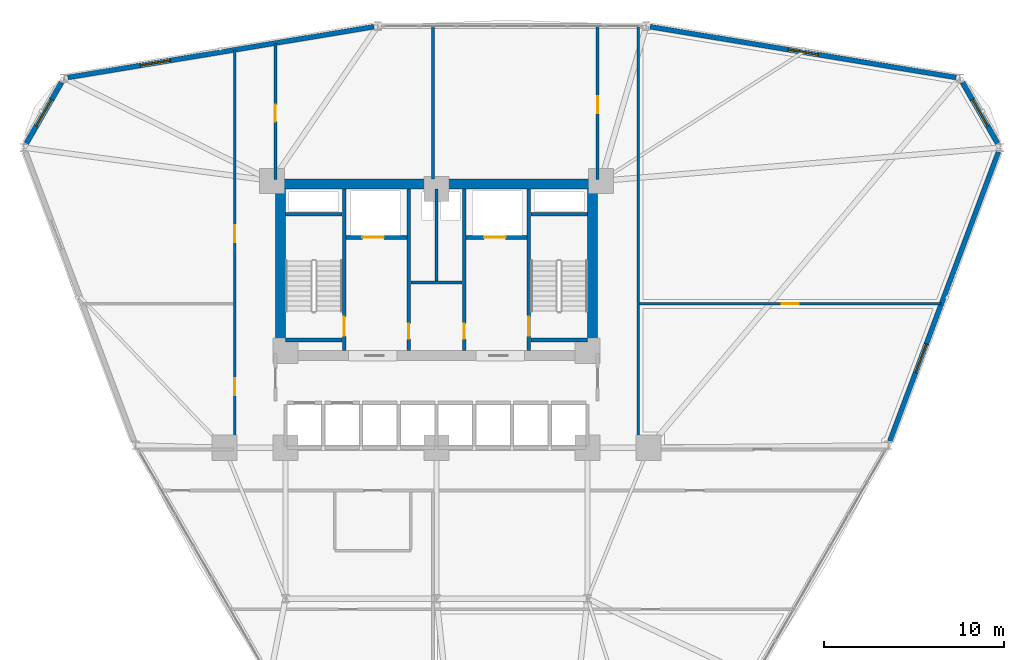
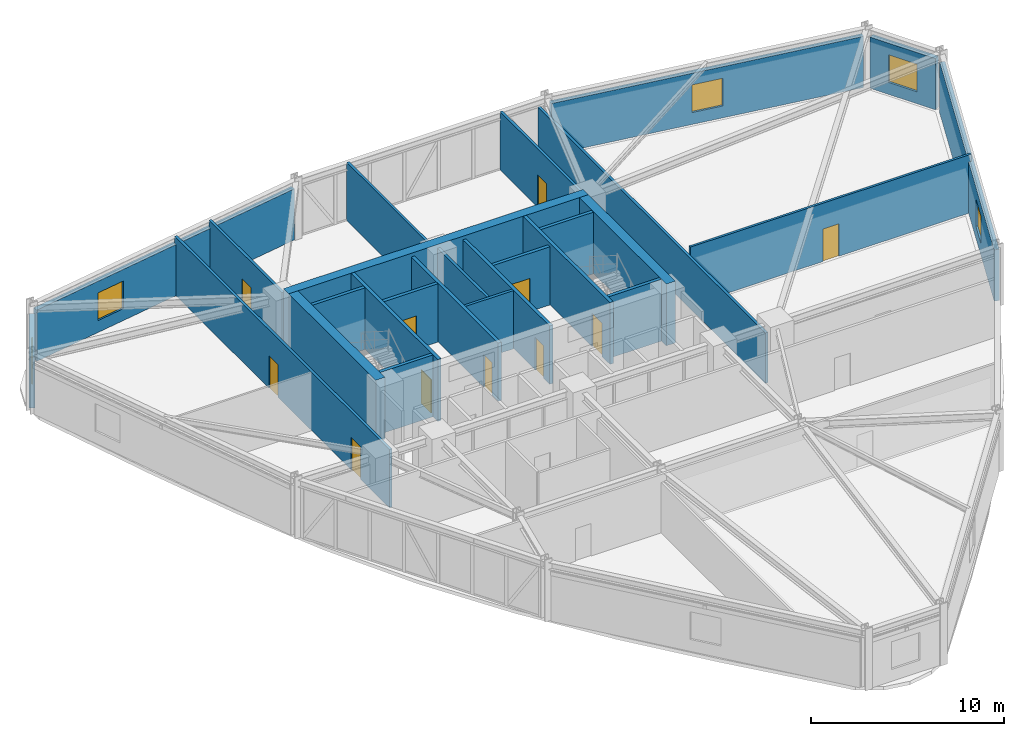
# One storey, part 15 of 20: 26 walls, 11 doors, 5 windows, 16 openings.
"""IFC4 building model written with IfcOpenShell, lengths in metres."""

from ifc_helpers import new_model, si_unit, derived_unit, direction, frame, frame_2d, origin, place, context, subcontext, project, spatial, rectangle, extrude, material, layer, layer_set, type_object, element, fill, save


model = new_model("IFC4")

# Units and contexts
model_context = context("Model", 3, precision=1e-05, world=origin(), true_north=direction((0.0, 1.0)))
body_context = subcontext(model_context, "Body", "Model", "MODEL_VIEW")
ifc_project = project(units=[si_unit("LENGTHUNIT", "METRE"), si_unit("AREAUNIT", "SQUARE_METRE"), si_unit("VOLUMEUNIT", "CUBIC_METRE"), si_unit("PLANEANGLEUNIT", "RADIAN"), si_unit("MASSUNIT", "GRAM", prefix="KILO"), derived_unit("THERMALTRANSMITTANCEUNIT", [(si_unit("POWERUNIT", "WATT"), 1), (si_unit("LENGTHUNIT", "METRE"), -2), (si_unit("THERMODYNAMICTEMPERATUREUNIT", "KELVIN"), -1)])], contexts=[model_context])

# Site, building, storey
site_placement = place(None, origin())
site = spatial("IfcSite", under=ifc_project, at=site_placement, CompositionType="ELEMENT")
building_placement = place(site_placement, origin())
building = spatial("IfcBuilding", under=site, at=building_placement, Name="Korsvarv Bourse and Concert Hall", CompositionType="ELEMENT")
storey_placement = place(building_placement, frame((0.0, 0.0, 79.5)))
storey = spatial("IfcBuildingStorey", under=building, at=storey_placement, Name="L19", CompositionType="ELEMENT", Elevation=79.5)

# Wall, opening, door
ifc_material_1 = material(Name="Concrete C50/60", Category="concrete")
ifc_layer_1 = layer(ifc_material_1, 0.3798828125)
ifc_layer_set_1 = layer_set([ifc_layer_1], Name="Concrete C50/60")
wall_type_1 = type_object("IfcWallType", Name="WL-CORE-380", PredefinedType="SHEAR", material=ifc_layer_set_1)
wall_1_placement = place(storey_placement, frame((30.860107421875, 37.81005859375, 0.0), z_axis=(0.0, 0.0, 1.0), x_axis=(0.0, 1.0, 0.0)))
wall_1 = element("IfcWall", 1, at=wall_1_placement, inside=storey, type_object=wall_type_1, Name="L19 stair shaft structural wall W-L19-ST1-E", PredefinedType="SHEAR", context=body_context, shape_type="SweptSolid", body=[
    extrude(rectangle(XDim=8.97998046875, YDim=0.199951171875, at=frame_2d((4.489990234375, 0.0))), origin(), (0.0, 0.0, 1.0), 3.89990234375),
])
opening_1_placement = place(wall_1_placement, frame((0.820068359375, 0.0, 0.0)))
opening_1 = element("IfcOpeningElement", 2, at=opening_1_placement, cuts=wall_1, Name="Opening D-01", PredefinedType="OPENING", context=body_context, shape_type="SweptSolid", body=[
    extrude(rectangle(XDim=1.050048828125, YDim=2.10009765625, at=frame_2d((0.52490234375, 1.050048828125))), frame((0.0, 0.10986328125, 0.0), z_axis=(0.0, -1.0, 0.0), x_axis=(1.0, 0.0, 0.0)), (0.0, 0.0, 1.0), 0.219970703125),
])
ifc_material_2 = material(Name="Steel S355 fire door", Category="steel")
door_type_1 = type_object("IfcDoorType", Name="DR-FD60", OperationType="NOTDEFINED", PredefinedType="DOOR", material=ifc_material_2)
door_1_placement = place(opening_1_placement, origin())
door_1 = element("IfcDoor", 3, at=door_1_placement, inside=storey, type_object=door_type_1, Name="L19 interior door DR-L19-ST1", OperationType="SINGLE_SWING_LEFT", OverallHeight=2.10009765625, OverallWidth=1.050048828125, PredefinedType="DOOR", context=body_context, shape_type="SweptSolid", body=[
    extrude(rectangle(XDim=1.050048828125, YDim=2.10009765625, at=frame_2d((0.52490234375, 1.050048828125))), frame((0.0, 0.02490234375, 0.0), z_axis=(0.0, -1.0, 0.0), x_axis=(1.0, 0.0, 0.0)), (0.0, 0.0, 1.0), 0.050048828125),
])
fill(opening_1, door_1)

# Walls
for number, where, z_axis, x_axis, name in (
    (4, (27.610107421875, 45.39990234375, 0.0), (0.0, 0.0, 1.0), (1.0, 0.0, 0.0), "L19 stair shaft structural wall W-L19-ST1-N"),
    (5, (27.610107421875, 38.39990234375, 0.0), (0.0, 0.0, 1.0), (1.0, 0.0, 0.0), "L19 stair shaft structural wall W-L19-ST1-S"),
):
    element("IfcWall", number, at=place(storey_placement, frame(where, z_axis=z_axis, x_axis=x_axis)), inside=storey, type_object=wall_type_1, Name=name, PredefinedType="SHEAR", context=body_context, shape_type="SweptSolid", body=[
        extrude(rectangle(XDim=3.139892578125, YDim=0.199951171875, at=frame_2d((1.56982421875, 0.0))), origin(), (0.0, 0.0, 1.0), 3.89990234375),
    ])

# Wall, opening, door
wall_2_placement = place(storey_placement, frame((41.139892578125, 37.81005859375, 0.0), z_axis=(0.0, 0.0, 1.0), x_axis=(0.0, 1.0, 0.0)))
wall_2 = element("IfcWall", 6, at=wall_2_placement, inside=storey, type_object=wall_type_1, Name="L19 stair shaft structural wall W-L19-ST2-W", PredefinedType="SHEAR", context=body_context, shape_type="SweptSolid", body=[
    extrude(rectangle(XDim=8.97998046875, YDim=0.199951171875, at=frame_2d((4.489990234375, 0.0))), origin(), (0.0, 0.0, 1.0), 3.89990234375),
])
opening_2_placement = place(wall_2_placement, frame((0.820068359375, 0.0, 0.0)))
opening_2 = element("IfcOpeningElement", 7, at=opening_2_placement, cuts=wall_2, Name="Opening D-01", PredefinedType="OPENING", context=body_context, shape_type="SweptSolid", body=[
    extrude(rectangle(XDim=1.050048828125, YDim=2.10009765625, at=frame_2d((0.52490234375, 1.050048828125))), frame((0.0, 0.10986328125, 0.0), z_axis=(0.0, -1.0, 0.0), x_axis=(1.0, 0.0, 0.0)), (0.0, 0.0, 1.0), 0.219970703125),
])
door_2_placement = place(opening_2_placement, frame((1.050048828125, 0.0, 0.0), z_axis=(0.0, 0.0, 1.0), x_axis=(-1.0, 0.0, 0.0)))
door_2 = element("IfcDoor", 8, at=door_2_placement, inside=storey, type_object=door_type_1, Name="L19 interior door DR-L19-ST2", OperationType="SINGLE_SWING_RIGHT", OverallHeight=2.10009765625, OverallWidth=1.050048828125, PredefinedType="DOOR", context=body_context, shape_type="SweptSolid", body=[
    extrude(rectangle(XDim=1.050048828125, YDim=2.10009765625, at=frame_2d((0.52490234375, 1.050048828125))), frame((0.0, 0.02490234375, 0.0), z_axis=(0.0, -1.0, 0.0), x_axis=(1.0, 0.0, 0.0)), (0.0, 0.0, 1.0), 0.050048828125),
])
fill(opening_2, door_2)

# Walls
for number, where, z_axis, x_axis, name in (
    (9, (41.25, 45.39990234375, 0.0), (0.0, 0.0, 1.0), (1.0, 0.0, 0.0), "L19 stair shaft structural wall W-L19-ST2-N"),
    (10, (41.25, 38.39990234375, 0.0), (0.0, 0.0, 1.0), (1.0, 0.0, 0.0), "L19 stair shaft structural wall W-L19-ST2-S"),
):
    element("IfcWall", number, at=place(storey_placement, frame(where, z_axis=z_axis, x_axis=x_axis)), inside=storey, type_object=wall_type_1, Name=name, PredefinedType="SHEAR", context=body_context, shape_type="SweptSolid", body=[
        extrude(rectangle(XDim=3.139892578125, YDim=0.199951171875, at=frame_2d((1.56982421875, 0.0))), origin(), (0.0, 0.0, 1.0), 3.89990234375),
    ])
ifc_material_3 = material(Name="Concrete C60/75", Category="concrete")
ifc_layer_2 = layer(ifc_material_3, 0.550048828125)
ifc_layer_set_2 = layer_set([ifc_layer_2], Name="Concrete C60/75")
wall_type_2 = type_object("IfcWallType", Name="WL-CORE-550", PredefinedType="SHEAR", material=ifc_layer_set_2)
wall_3_placement = place(storey_placement, frame((27.050048828125, 47.074951171875, 0.0), z_axis=(0.0, 0.0, 1.0), x_axis=(1.0, 0.0, 0.0)))
element("IfcWall", 11, at=wall_3_placement, inside=storey, type_object=wall_type_2, Name="L19 North Core Shear Wall", PredefinedType="SHEAR", context=body_context, shape_type="SweptSolid", body=[
    extrude(rectangle(XDim=17.89990234375, YDim=0.550048828125, at=frame_2d((8.949951171875, 0.0))), origin(), (0.0, 0.0, 1.0), 3.89990234375),
])
for number, where, z_axis, x_axis, name in (
    (12, (27.324951171875, 37.800048828125, 0.0), (0.0, 0.0, 1.0), (0.0, 1.0, 0.0), "L19 West Core Shear Wall"),
    (13, (44.675048828125, 37.800048828125, 0.0), (0.0, 0.0, 1.0), (0.0, 1.0, 0.0), "L19 East Core Shear Wall"),
):
    element("IfcWall", number, at=place(storey_placement, frame(where, z_axis=z_axis, x_axis=x_axis)), inside=storey, type_object=wall_type_2, Name=name, PredefinedType="SHEAR", context=body_context, shape_type="SweptSolid", body=[
        extrude(rectangle(XDim=9.0, YDim=0.550048828125, at=frame_2d((4.5, 0.0))), origin(), (0.0, 0.0, 1.0), 3.89990234375),
    ])

# Wall, opening, window
ifc_material_4 = material(Name="Precast concrete C45/55 with terracotta rainscreen", Category="concrete")
ifc_layer_3 = layer(ifc_material_4, 0.300048828125)
ifc_layer_set_3 = layer_set([ifc_layer_3], Name="Precast concrete C45/55 with terracotta rainscreen")
wall_type_3 = type_object("IfcWallType", Name="WL-EXT-TC1", PredefinedType="SOLIDWALL", material=ifc_layer_set_3)
wall_4_placement = place(storey_placement, frame((67.222412109375, 49.34423828125, 0.0), z_axis=(0.0, 0.0, 1.0), x_axis=(-0.500014353419, 0.866017116675, 0.0)))
wall_4 = element("IfcWall", 14, at=wall_4_placement, inside=storey, type_object=wall_type_3, Name="L19 terracotta exterior wall EW-L19-B01", PredefinedType="SOLIDWALL", context=body_context, shape_type="SweptSolid", body=[
    extrude(rectangle(XDim=3.90966796875, YDim=0.300048828125, at=frame_2d((1.954833984375, 0.0))), origin(), (0.0, 0.0, 1.0), 3.22998046875),
])
opening_3_placement = place(wall_4_placement, frame((1.104736328125, 0.0, 0.75)))
opening_3 = element("IfcOpeningElement", 15, at=opening_3_placement, cuts=wall_4, Name="Opening W-01", PredefinedType="OPENING", context=body_context, shape_type="SweptSolid", body=[
    extrude(rectangle(XDim=1.699951171875, YDim=1.75, at=frame_2d((0.85009765625, 0.875))), frame((0.0, 0.16015625, 0.0), z_axis=(0.0, -1.0, 0.0), x_axis=(1.0, 0.0, 0.0)), (0.0, 0.0, 1.0), 0.320068359375),
])
ifc_material_5 = material(Name="Thermally broken aluminium frame with triple low-E glass", Category="glass")
window_type = type_object("IfcWindowType", Name="WIN-TW1", PartitioningType="SINGLE_PANEL", PredefinedType="WINDOW", material=ifc_material_5)
window_1_placement = place(opening_3_placement, origin())
window_1 = element("IfcWindow", 16, at=window_1_placement, inside=storey, type_object=window_type, Name="L19 punched facade window W-01", OverallHeight=1.75, OverallWidth=1.699951171875, PartitioningType="SINGLE_PANEL", PredefinedType="WINDOW", context=body_context, shape_type="SweptSolid", body=[
    extrude(rectangle(XDim=1.699951171875, YDim=1.75, at=frame_2d((0.85009765625, 0.875))), frame((0.0, 0.030029296875, 0.0), z_axis=(0.0, -1.0, 0.0), x_axis=(1.0, 0.0, 0.0)), (0.0, 0.0, 1.0), 0.06005859375),
])
fill(opening_3, window_1)

wall_5_placement = place(storey_placement, frame((15.13232421875, 52.72998046875, 0.0), z_axis=(0.0, 0.0, 1.0), x_axis=(-0.500014353419, -0.866017116675, 0.0)))
wall_5 = element("IfcWall", 17, at=wall_5_placement, inside=storey, type_object=wall_type_3, Name="L19 terracotta exterior wall EW-L19-B05", PredefinedType="SOLIDWALL", context=body_context, shape_type="SweptSolid", body=[
    extrude(rectangle(XDim=3.90966796875, YDim=0.300048828125, at=frame_2d((1.954833984375, 0.0))), origin(), (0.0, 0.0, 1.0), 3.22998046875),
])
opening_4_placement = place(wall_5_placement, frame((1.104736328125, 0.0, 0.75)))
opening_4 = element("IfcOpeningElement", 18, at=opening_4_placement, cuts=wall_5, Name="Opening W-01", PredefinedType="OPENING", context=body_context, shape_type="SweptSolid", body=[
    extrude(rectangle(XDim=1.699951171875, YDim=1.75, at=frame_2d((0.85009765625, 0.875))), frame((0.0, 0.16015625, 0.0), z_axis=(0.0, -1.0, 0.0), x_axis=(1.0, 0.0, 0.0)), (0.0, 0.0, 1.0), 0.320068359375),
])
window_2_placement = place(opening_4_placement, origin())
window_2 = element("IfcWindow", 19, at=window_2_placement, inside=storey, type_object=window_type, Name="L19 punched facade window W-01", OverallHeight=1.75, OverallWidth=1.699951171875, PartitioningType="SINGLE_PANEL", PredefinedType="WINDOW", context=body_context, shape_type="SweptSolid", body=[
    extrude(rectangle(XDim=1.699951171875, YDim=1.75, at=frame_2d((0.85009765625, 0.875))), frame((0.0, 0.030029296875, 0.0), z_axis=(0.0, -1.0, 0.0), x_axis=(1.0, 0.0, 0.0)), (0.0, 0.0, 1.0), 0.06005859375),
])
fill(opening_4, window_2)

ifc_material_6 = material(Name="Precast concrete C45/55 with fluted terracotta pier", Category="concrete")
ifc_layer_4 = layer(ifc_material_6, 0.280029296875)
ifc_layer_set_4 = layer_set([ifc_layer_4], Name="Precast concrete C45/55 with fluted terracotta pier")
wall_type_4 = type_object("IfcWallType", Name="WL-EXT-TC2", PredefinedType="SOLIDWALL", material=ifc_layer_set_4)
wall_6_placement = place(storey_placement, frame((64.910888671875, 53.008056640625, 0.0), z_axis=(0.0, 0.0, 1.0), x_axis=(-0.986523232029, 0.163621247604, 0.0)))
wall_6 = element("IfcWall", 20, at=wall_6_placement, inside=storey, type_object=wall_type_4, Name="L19 terracotta exterior wall EW-L19-B02", PredefinedType="SOLIDWALL", context=body_context, shape_type="SweptSolid", body=[
    extrude(rectangle(XDim=17.2578125, YDim=0.280029296875, at=frame_2d((8.62890625, 0.0))), origin(), (0.0, 0.0, 1.0), 3.22998046875),
])
opening_5_placement = place(wall_6_placement, frame((7.77880859375, 0.0, 0.75)))
opening_5 = element("IfcOpeningElement", 21, at=opening_5_placement, cuts=wall_6, Name="Opening W-01", PredefinedType="OPENING", context=body_context, shape_type="SweptSolid", body=[
    extrude(rectangle(XDim=1.699951171875, YDim=1.75, at=frame_2d((0.85009765625, 0.875))), frame((0.0, 0.14990234375, 0.0), z_axis=(0.0, -1.0, 0.0), x_axis=(1.0, 0.0, 0.0)), (0.0, 0.0, 1.0), 0.300048828125),
])
window_3_placement = place(opening_5_placement, origin())
window_3 = element("IfcWindow", 22, at=window_3_placement, inside=storey, type_object=window_type, Name="L19 punched facade window W-01", OverallHeight=1.75, OverallWidth=1.699951171875, PartitioningType="SINGLE_PANEL", PredefinedType="WINDOW", context=body_context, shape_type="SweptSolid", body=[
    extrude(rectangle(XDim=1.699951171875, YDim=1.75, at=frame_2d((0.85009765625, 0.875))), frame((0.0, 0.030029296875, 0.0), z_axis=(0.0, -1.0, 0.0), x_axis=(1.0, 0.0, 0.0)), (0.0, 0.0, 1.0), 0.06005859375),
])
fill(opening_5, window_3)

wall_7_placement = place(storey_placement, frame((32.514404296875, 55.831787109375, 0.0), z_axis=(0.0, 0.0, 1.0), x_axis=(-0.986523610756, -0.163618964122, 0.0)))
wall_7 = element("IfcWall", 23, at=wall_7_placement, inside=storey, type_object=wall_type_4, Name="L19 terracotta exterior wall EW-L19-B04", PredefinedType="SOLIDWALL", context=body_context, shape_type="SweptSolid", body=[
    extrude(rectangle(XDim=17.258056640625, YDim=0.280029296875, at=frame_2d((8.62890625, 0.0))), origin(), (0.0, 0.0, 1.0), 3.22998046875),
])
opening_6_placement = place(wall_7_placement, frame((11.468505859375, 0.0, 0.75)))
opening_6 = element("IfcOpeningElement", 24, at=opening_6_placement, cuts=wall_7, Name="Opening W-01", PredefinedType="OPENING", context=body_context, shape_type="SweptSolid", body=[
    extrude(rectangle(XDim=1.699951171875, YDim=1.75, at=frame_2d((0.85009765625, 0.875))), frame((0.0, 0.14990234375, 0.0), z_axis=(0.0, -1.0, 0.0), x_axis=(1.0, 0.0, 0.0)), (0.0, 0.0, 1.0), 0.300048828125),
])
window_4_placement = place(opening_6_placement, origin())
window_4 = element("IfcWindow", 25, at=window_4_placement, inside=storey, type_object=window_type, Name="L19 punched facade window W-01", OverallHeight=1.75, OverallWidth=1.699951171875, PartitioningType="SINGLE_PANEL", PredefinedType="WINDOW", context=body_context, shape_type="SweptSolid", body=[
    extrude(rectangle(XDim=1.699951171875, YDim=1.75, at=frame_2d((0.85009765625, 0.875))), frame((0.0, 0.030029296875, 0.0), z_axis=(0.0, -1.0, 0.0), x_axis=(1.0, 0.0, 0.0)), (0.0, 0.0, 1.0), 0.06005859375),
])
fill(opening_6, window_4)

wall_8_placement = place(storey_placement, frame((61.231201171875, 32.776123046875, 0.0), z_axis=(0.0, 0.0, 1.0), x_axis=(0.351559441404, 0.936165561832, 0.0)))
wall_8 = element("IfcWall", 26, at=wall_8_placement, inside=storey, type_object=wall_type_4, Name="L19 terracotta exterior wall EW-L19-B12", PredefinedType="SOLIDWALL", context=body_context, shape_type="SweptSolid", body=[
    extrude(rectangle(XDim=17.1806640625, YDim=0.280029296875, at=frame_2d((8.59033203125, 0.0))), origin(), (0.0, 0.0, 1.0), 3.22998046875),
])
opening_7_placement = place(wall_8_placement, frame((4.0703125, 0.0, 0.75)))
opening_7 = element("IfcOpeningElement", 27, at=opening_7_placement, cuts=wall_8, Name="Opening W-01", PredefinedType="OPENING", context=body_context, shape_type="SweptSolid", body=[
    extrude(rectangle(XDim=1.699951171875, YDim=1.75, at=frame_2d((0.85009765625, 0.875))), frame((0.0, 0.14990234375, 0.0), z_axis=(0.0, -1.0, 0.0), x_axis=(1.0, 0.0, 0.0)), (0.0, 0.0, 1.0), 0.300048828125),
])
window_5_placement = place(opening_7_placement, origin())
window_5 = element("IfcWindow", 28, at=window_5_placement, inside=storey, type_object=window_type, Name="L19 punched facade window W-01", OverallHeight=1.75, OverallWidth=1.699951171875, PartitioningType="SINGLE_PANEL", PredefinedType="WINDOW", context=body_context, shape_type="SweptSolid", body=[
    extrude(rectangle(XDim=1.699951171875, YDim=1.75, at=frame_2d((0.85009765625, 0.875))), frame((0.0, 0.030029296875, 0.0), z_axis=(0.0, -1.0, 0.0), x_axis=(1.0, 0.0, 0.0)), (0.0, 0.0, 1.0), 0.06005859375),
])
fill(opening_7, window_5)

# Wall, opening, door
ifc_material_7 = material(Name="Reinforced concrete blockwork C35/45 fire wall", Category="concrete")
ifc_layer_5 = layer(ifc_material_7, 0.199951171875)
ifc_layer_set_5 = layer_set([ifc_layer_5], Name="Reinforced concrete blockwork C35/45 fire wall")
wall_type_5 = type_object("IfcWallType", Name="WL-INT-EI120", PredefinedType="PARTITIONING", material=ifc_layer_set_5)
wall_9_placement = place(storey_placement, frame((30.969970703125, 44.10009765625, 0.0), z_axis=(0.0, 0.0, 1.0), x_axis=(1.0, 0.0, 0.0)))
wall_9 = element("IfcWall", 29, at=wall_9_placement, inside=storey, type_object=wall_type_5, Name="L19 interior partition wall W-L19-FF1-S", PredefinedType="PARTITIONING", context=body_context, shape_type="SweptSolid", body=[
    extrude(rectangle(XDim=3.380126953125, YDim=0.199951171875, at=frame_2d((1.68994140625, 0.0))), origin(), (0.0, 0.0, 1.0), 3.679931640625),
])
opening_8_placement = place(wall_9_placement, frame((0.89990234375, 0.0, 0.0)))
opening_8 = element("IfcOpeningElement", 30, at=opening_8_placement, cuts=wall_9, Name="Opening LD-1", PredefinedType="OPENING", context=body_context, shape_type="SweptSolid", body=[
    extrude(rectangle(XDim=1.199951171875, YDim=2.10009765625, at=frame_2d((0.60009765625, 1.050048828125))), frame((0.0, 0.10986328125, 0.0), z_axis=(0.0, -1.0, 0.0), x_axis=(1.0, 0.0, 0.0)), (0.0, 0.0, 1.0), 0.219970703125),
])
ifc_material_8 = material(Name="Stainless Steel S355 firefighting lift landing door", Category="steel")
door_type_2 = type_object("IfcDoorType", Name="DR-LIFT-FF", OperationType="DOUBLE_DOOR_SLIDING", PredefinedType="DOOR", material=ifc_material_8)
door_3_placement = place(opening_8_placement, origin())
door_3 = element("IfcDoor", 31, at=door_3_placement, inside=storey, type_object=door_type_2, Name="L19 lift sliding landing door LD-L19-FF1", OperationType="DOUBLE_DOOR_SLIDING", OverallHeight=2.10009765625, OverallWidth=1.199951171875, PredefinedType="DOOR", context=body_context, shape_type="SweptSolid", body=[
    extrude(rectangle(XDim=1.199951171875, YDim=2.10009765625, at=frame_2d((0.60009765625, 1.050048828125))), frame((0.0, 0.02490234375, 0.0), z_axis=(0.0, -1.0, 0.0), x_axis=(1.0, 0.0, 0.0)), (0.0, 0.0, 1.0), 0.050048828125),
])
fill(opening_8, door_3)

wall_10_placement = place(storey_placement, frame((37.64990234375, 44.10009765625, 0.0), z_axis=(0.0, 0.0, 1.0), x_axis=(1.0, 0.0, 0.0)))
wall_10 = element("IfcWall", 32, at=wall_10_placement, inside=storey, type_object=wall_type_5, Name="L19 interior partition wall W-L19-FF2-S", PredefinedType="PARTITIONING", context=body_context, shape_type="SweptSolid", body=[
    extrude(rectangle(XDim=3.380126953125, YDim=0.199951171875, at=frame_2d((1.68994140625, 0.0))), origin(), (0.0, 0.0, 1.0), 3.679931640625),
])
opening_9_placement = place(wall_10_placement, frame((1.0, 0.0, 0.0)))
opening_9 = element("IfcOpeningElement", 33, at=opening_9_placement, cuts=wall_10, Name="Opening LD-1", PredefinedType="OPENING", context=body_context, shape_type="SweptSolid", body=[
    extrude(rectangle(XDim=1.199951171875, YDim=2.10009765625, at=frame_2d((0.60009765625, 1.050048828125))), frame((0.0, 0.10986328125, 0.0), z_axis=(0.0, -1.0, 0.0), x_axis=(1.0, 0.0, 0.0)), (0.0, 0.0, 1.0), 0.219970703125),
])
door_4_placement = place(opening_9_placement, origin())
door_4 = element("IfcDoor", 34, at=door_4_placement, inside=storey, type_object=door_type_2, Name="L19 lift sliding landing door LD-L19-FF2", OperationType="DOUBLE_DOOR_SLIDING", OverallHeight=2.10009765625, OverallWidth=1.199951171875, PredefinedType="DOOR", context=body_context, shape_type="SweptSolid", body=[
    extrude(rectangle(XDim=1.199951171875, YDim=2.10009765625, at=frame_2d((0.60009765625, 1.050048828125))), frame((0.0, 0.02490234375, 0.0), z_axis=(0.0, -1.0, 0.0), x_axis=(1.0, 0.0, 0.0)), (0.0, 0.0, 1.0), 0.050048828125),
])
fill(opening_9, door_4)

wall_11_placement = place(storey_placement, frame((34.4599609375, 37.81005859375, 0.0), z_axis=(0.0, 0.0, 1.0), x_axis=(0.0, 1.0, 0.0)))
wall_11 = element("IfcWall", 35, at=wall_11_placement, inside=storey, type_object=wall_type_5, Name="L19 interior partition wall W-L19-CSB-W", PredefinedType="PARTITIONING", context=body_context, shape_type="SweptSolid", body=[
    extrude(rectangle(XDim=8.97998046875, YDim=0.199951171875, at=frame_2d((4.489990234375, 0.0))), origin(), (0.0, 0.0, 1.0), 3.679931640625),
])
opening_10_placement = place(wall_11_placement, frame((0.64990234375, 0.0, 0.0)))
opening_10 = element("IfcOpeningElement", 36, at=opening_10_placement, cuts=wall_11, Name="Opening D-05", PredefinedType="OPENING", context=body_context, shape_type="SweptSolid", body=[
    extrude(rectangle(XDim=0.85009765625, YDim=2.050048828125, at=frame_2d((0.425048828125, 1.02490234375))), frame((0.0, 0.10986328125, 0.0), z_axis=(0.0, -1.0, 0.0), x_axis=(1.0, 0.0, 0.0)), (0.0, 0.0, 1.0), 0.219970703125),
])
door_type_3 = type_object("IfcDoorType", Name="DR-FD60-850X2050", OperationType="NOTDEFINED", PredefinedType="DOOR", material=ifc_material_2)
door_5_placement = place(opening_10_placement, frame((0.85009765625, 0.0, 0.0), z_axis=(0.0, 0.0, 1.0), x_axis=(-1.0, 0.0, 0.0)))
door_5 = element("IfcDoor", 37, at=door_5_placement, inside=storey, type_object=door_type_3, Name="L19 interior door DR-L19-CSB1", OperationType="SINGLE_SWING_LEFT", OverallHeight=2.050048828125, OverallWidth=0.85009765625, PredefinedType="DOOR", context=body_context, shape_type="SweptSolid", body=[
    extrude(rectangle(XDim=0.85009765625, YDim=2.050048828125, at=frame_2d((0.425048828125, 1.02490234375))), frame((0.0, 0.02490234375, 0.0), z_axis=(0.0, -1.0, 0.0), x_axis=(1.0, 0.0, 0.0)), (0.0, 0.0, 1.0), 0.050048828125),
])
fill(opening_10, door_5)

wall_12_placement = place(storey_placement, frame((37.5400390625, 37.81005859375, 0.0), z_axis=(0.0, 0.0, 1.0), x_axis=(0.0, 1.0, 0.0)))
wall_12 = element("IfcWall", 38, at=wall_12_placement, inside=storey, type_object=wall_type_5, Name="L19 interior partition wall W-L19-CSB-E", PredefinedType="PARTITIONING", context=body_context, shape_type="SweptSolid", body=[
    extrude(rectangle(XDim=8.97998046875, YDim=0.199951171875, at=frame_2d((4.489990234375, 0.0))), origin(), (0.0, 0.0, 1.0), 3.679931640625),
])
opening_11_placement = place(wall_12_placement, frame((0.64990234375, 0.0, 0.0)))
opening_11 = element("IfcOpeningElement", 39, at=opening_11_placement, cuts=wall_12, Name="Opening D-05", PredefinedType="OPENING", context=body_context, shape_type="SweptSolid", body=[
    extrude(rectangle(XDim=0.85009765625, YDim=2.050048828125, at=frame_2d((0.425048828125, 1.02490234375))), frame((0.0, 0.10986328125, 0.0), z_axis=(0.0, -1.0, 0.0), x_axis=(1.0, 0.0, 0.0)), (0.0, 0.0, 1.0), 0.219970703125),
])
door_6_placement = place(opening_11_placement, origin())
door_6 = element("IfcDoor", 40, at=door_6_placement, inside=storey, type_object=door_type_3, Name="L19 interior door DR-L19-CSB2", OperationType="SINGLE_SWING_RIGHT", OverallHeight=2.050048828125, OverallWidth=0.85009765625, PredefinedType="DOOR", context=body_context, shape_type="SweptSolid", body=[
    extrude(rectangle(XDim=0.85009765625, YDim=2.050048828125, at=frame_2d((0.425048828125, 1.02490234375))), frame((0.0, 0.02490234375, 0.0), z_axis=(0.0, -1.0, 0.0), x_axis=(1.0, 0.0, 0.0)), (0.0, 0.0, 1.0), 0.050048828125),
])
fill(opening_11, door_6)

# Walls
ifc_material_9 = material(Name="Double-stud fire-rated acoustic partition", Category="gypsum")
ifc_layer_6 = layer(ifc_material_9, 0.159912109375)
ifc_layer_set_6 = layer_set([ifc_layer_6], Name="Double-stud fire-rated acoustic partition")
wall_type_6 = type_object("IfcWallType", Name="WL-INT-EI60", PredefinedType="PARTITIONING", material=ifc_layer_set_6)
wall_13_placement = place(storey_placement, frame((34.570068359375, 41.60009765625, 0.0), z_axis=(0.0, 0.0, 1.0), x_axis=(1.0, 0.0, 0.0)))
element("IfcWall", 41, at=wall_13_placement, inside=storey, type_object=wall_type_6, Name="L19 interior partition wall W-L19-K1", PredefinedType="PARTITIONING", context=body_context, shape_type="SweptSolid", body=[
    extrude(rectangle(XDim=2.85986328125, YDim=0.159912109375, at=frame_2d((1.429931640625, 0.0))), origin(), (0.0, 0.0, 1.0), 3.679931640625),
])
wall_14_placement = place(storey_placement, frame((36.0048828125, 41.68994140625, 0.0), z_axis=(0.0, 0.0, 1.0), x_axis=(0.0, 1.0, 0.0)))
element("IfcWall", 42, at=wall_14_placement, inside=storey, type_object=wall_type_6, Name="L19 interior partition wall W-L19-K2", PredefinedType="PARTITIONING", context=body_context, shape_type="SweptSolid", body=[
    extrude(rectangle(XDim=5.10009765625, YDim=0.159912109375, at=frame_2d((2.550048828125, 0.0))), origin(), (0.0, 0.0, 1.0), 3.679931640625),
])
wall_15_placement = place(storey_placement, frame((47.22509765625, 32.31005859375, 0.0), z_axis=(0.0, 0.0, 1.0), x_axis=(0.0, 1.0, 0.0)))
element("IfcWall", 43, at=wall_15_placement, inside=storey, type_object=wall_type_6, Name="L19 interior partition wall W-L19-TCOR-02", PredefinedType="PARTITIONING", context=body_context, shape_type="SweptSolid", body=[
    extrude(rectangle(XDim=23.53759765625, YDim=0.159912109375, at=frame_2d((11.768798828125, 0.0))), origin(), (0.0, 0.0, 1.0), 3.179931640625),
])

# Wall, openings, doors
wall_16_placement = place(storey_placement, frame((24.77490234375, 32.31005859375, 0.0), z_axis=(0.0, 0.0, 1.0), x_axis=(0.0, 1.0, 0.0)))
wall_16 = element("IfcWall", 44, at=wall_16_placement, inside=storey, type_object=wall_type_6, Name="L19 interior partition wall W-L19-TCOR-03", PredefinedType="PARTITIONING", context=body_context, shape_type="SweptSolid", body=[
    extrude(rectangle(XDim=22.218017578125, YDim=0.159912109375, at=frame_2d((11.10888671875, 0.0))), origin(), (0.0, 0.0, 1.0), 3.679931640625),
])
opening_12_placement = place(wall_16_placement, frame((3.00537109375, 0.0, 0.0)))
opening_12 = element("IfcOpeningElement", 45, at=opening_12_placement, cuts=wall_16, Name="Opening D-02", PredefinedType="OPENING", context=body_context, shape_type="SweptSolid", body=[
    extrude(rectangle(XDim=0.949951171875, YDim=2.050048828125, at=frame_2d((0.47509765625, 1.02490234375))), frame((0.0, 0.08984375, 0.0), z_axis=(0.0, -1.0, 0.0), x_axis=(1.0, 0.0, 0.0)), (0.0, 0.0, 1.0), 0.179931640625),
])
opening_13_placement = place(wall_16_placement, frame((11.515625, 0.0, 0.0)))
opening_13 = element("IfcOpeningElement", 46, at=opening_13_placement, cuts=wall_16, Name="Opening D-02", PredefinedType="OPENING", context=body_context, shape_type="SweptSolid", body=[
    extrude(rectangle(XDim=0.949951171875, YDim=2.050048828125, at=frame_2d((0.47509765625, 1.02490234375))), frame((0.0, 0.08984375, 0.0), z_axis=(0.0, -1.0, 0.0), x_axis=(1.0, 0.0, 0.0)), (0.0, 0.0, 1.0), 0.179931640625),
])
ifc_material_10 = material(Name="Timber and steel acoustic fire door", Category="wood")
door_type_4 = type_object("IfcDoorType", Name="DR-FD30", OperationType="NOTDEFINED", PredefinedType="DOOR", material=ifc_material_10)
door_7_placement = place(opening_12_placement, origin())
door_7 = element("IfcDoor", 47, at=door_7_placement, inside=storey, type_object=door_type_4, Name="L19 interior door DR-L19-TCOR-NWL9", OperationType="SINGLE_SWING_RIGHT", OverallHeight=2.050048828125, OverallWidth=0.949951171875, PredefinedType="DOOR", context=body_context, shape_type="SweptSolid", body=[
    extrude(rectangle(XDim=0.949951171875, YDim=2.050048828125, at=frame_2d((0.47509765625, 1.02490234375))), frame((0.0, 0.02490234375, 0.0), z_axis=(0.0, -1.0, 0.0), x_axis=(1.0, 0.0, 0.0)), (0.0, 0.0, 1.0), 0.050048828125),
])
fill(opening_12, door_7)
door_8_placement = place(opening_13_placement, origin())
door_8 = element("IfcDoor", 48, at=door_8_placement, inside=storey, type_object=door_type_4, Name="L19 interior door DR-L19-TCOR-NWC210", OperationType="SINGLE_SWING_LEFT", OverallHeight=2.050048828125, OverallWidth=0.949951171875, PredefinedType="DOOR", context=body_context, shape_type="SweptSolid", body=[
    extrude(rectangle(XDim=0.949951171875, YDim=2.050048828125, at=frame_2d((0.47509765625, 1.02490234375))), frame((0.0, 0.02490234375, 0.0), z_axis=(0.0, -1.0, 0.0), x_axis=(1.0, 0.0, 0.0)), (0.0, 0.0, 1.0), 0.050048828125),
])
fill(opening_13, door_8)

# Wall, opening, door
wall_17_placement = place(storey_placement, frame((44.965087890625, 47.340087890625, 0.0), z_axis=(0.0, 0.0, 1.0), x_axis=(0.0, 1.0, 0.0)))
wall_17 = element("IfcWall", 49, at=wall_17_placement, inside=storey, type_object=wall_type_6, Name="L19 interior partition wall W-L19-TCOR-05", PredefinedType="PARTITIONING", context=body_context, shape_type="SweptSolid", body=[
    extrude(rectangle(XDim=8.507568359375, YDim=0.159912109375, at=frame_2d((4.25390625, 0.0))), origin(), (0.0, 0.0, 1.0), 3.679931640625),
])
opening_14_placement = place(wall_17_placement, frame((3.674072265625, 0.0, 0.0)))
opening_14 = element("IfcOpeningElement", 50, at=opening_14_placement, cuts=wall_17, Name="Opening D-02", PredefinedType="OPENING", context=body_context, shape_type="SweptSolid", body=[
    extrude(rectangle(XDim=0.949951171875, YDim=2.050048828125, at=frame_2d((0.47509765625, 1.02490234375))), frame((0.0, 0.08984375, 0.0), z_axis=(0.0, -1.0, 0.0), x_axis=(1.0, 0.0, 0.0)), (0.0, 0.0, 1.0), 0.179931640625),
])
door_9_placement = place(opening_14_placement, origin())
door_9 = element("IfcDoor", 51, at=door_9_placement, inside=storey, type_object=door_type_4, Name="L19 interior door DR-L19-TCOR-RM88", OperationType="SINGLE_SWING_LEFT", OverallHeight=2.050048828125, OverallWidth=0.949951171875, PredefinedType="DOOR", context=body_context, shape_type="SweptSolid", body=[
    extrude(rectangle(XDim=0.949951171875, YDim=2.050048828125, at=frame_2d((0.47509765625, 1.02490234375))), frame((0.0, 0.02490234375, 0.0), z_axis=(0.0, -1.0, 0.0), x_axis=(1.0, 0.0, 0.0)), (0.0, 0.0, 1.0), 0.050048828125),
])
fill(opening_14, door_9)

wall_18_placement = place(storey_placement, frame((27.034912109375, 47.340087890625, 0.0), z_axis=(0.0, 0.0, 1.0), x_axis=(0.0, 1.0, 0.0)))
wall_18 = element("IfcWall", 52, at=wall_18_placement, inside=storey, type_object=wall_type_6, Name="L19 interior partition wall W-L19-TCOR-06", PredefinedType="PARTITIONING", context=body_context, shape_type="SweptSolid", body=[
    extrude(rectangle(XDim=7.562744140625, YDim=0.159912109375, at=frame_2d((3.78125, 0.0))), origin(), (0.0, 0.0, 1.0), 3.679931640625),
])
opening_15_placement = place(wall_18_placement, frame((3.20361328125, 0.0, 0.0)))
opening_15 = element("IfcOpeningElement", 53, at=opening_15_placement, cuts=wall_18, Name="Opening D-02", PredefinedType="OPENING", context=body_context, shape_type="SweptSolid", body=[
    extrude(rectangle(XDim=0.949951171875, YDim=2.050048828125, at=frame_2d((0.47509765625, 1.02490234375))), frame((0.0, 0.08984375, 0.0), z_axis=(0.0, -1.0, 0.0), x_axis=(1.0, 0.0, 0.0)), (0.0, 0.0, 1.0), 0.179931640625),
])
door_10_placement = place(opening_15_placement, origin())
door_10 = element("IfcDoor", 54, at=door_10_placement, inside=storey, type_object=door_type_4, Name="L19 interior door DR-L19-TCOR-RM77", OperationType="SINGLE_SWING_RIGHT", OverallHeight=2.050048828125, OverallWidth=0.949951171875, PredefinedType="DOOR", context=body_context, shape_type="SweptSolid", body=[
    extrude(rectangle(XDim=0.949951171875, YDim=2.050048828125, at=frame_2d((0.47509765625, 1.02490234375))), frame((0.0, 0.02490234375, 0.0), z_axis=(0.0, -1.0, 0.0), x_axis=(1.0, 0.0, 0.0)), (0.0, 0.0, 1.0), 0.050048828125),
])
fill(opening_15, door_10)

ifc_material_11 = material(Name="Insulated steel-stud office acoustic partition", Category="gypsum")
ifc_layer_7 = layer(ifc_material_11, 0.139892578125)
ifc_layer_set_7 = layer_set([ifc_layer_7], Name="Insulated steel-stud office acoustic partition")
wall_type_7 = type_object("IfcWallType", Name="WL-INT-P1", PredefinedType="PARTITIONING", material=ifc_layer_set_7)
wall_19_placement = place(storey_placement, frame((47.306884765625, 40.405029296875, 0.0), z_axis=(0.0, 0.0, 1.0), x_axis=(1.0, 0.0, 0.0)))
wall_19 = element("IfcWall", 55, at=wall_19_placement, inside=storey, type_object=wall_type_7, Name="L19 interior partition wall W-L19-TCOR-10", PredefinedType="PARTITIONING", context=body_context, shape_type="SweptSolid", body=[
    extrude(rectangle(XDim=16.769287109375, YDim=0.139892578125, at=frame_2d((8.384765625, 0.0))), origin(), (0.0, 0.0, 1.0), 3.679931640625),
])
opening_16_placement = place(wall_19_placement, frame((7.909423828125, 0.0, 0.0)))
opening_16 = element("IfcOpeningElement", 56, at=opening_16_placement, cuts=wall_19, Name="Opening D-03", PredefinedType="OPENING", context=body_context, shape_type="SweptSolid", body=[
    extrude(rectangle(XDim=0.949951171875, YDim=2.050048828125, at=frame_2d((0.47509765625, 1.02490234375))), frame((0.0, 0.080078125, 0.0), z_axis=(0.0, -1.0, 0.0), x_axis=(1.0, 0.0, 0.0)), (0.0, 0.0, 1.0), 0.159912109375),
])
ifc_material_12 = material(Name="Nordic oak acoustic office door", Category="wood")
door_type_5 = type_object("IfcDoorType", Name="DR-INT-1", OperationType="NOTDEFINED", PredefinedType="DOOR", material=ifc_material_12)
door_11_placement = place(opening_16_placement, origin())
door_11 = element("IfcDoor", 57, at=door_11_placement, inside=storey, type_object=door_type_5, Name="L19 interior door DR-L19-TCOR-NEP22", OperationType="SINGLE_SWING_LEFT", OverallHeight=2.050048828125, OverallWidth=0.949951171875, PredefinedType="DOOR", context=body_context, shape_type="SweptSolid", body=[
    extrude(rectangle(XDim=0.949951171875, YDim=2.050048828125, at=frame_2d((0.47509765625, 1.02490234375))), frame((0.0, 0.02490234375, 0.0), z_axis=(0.0, -1.0, 0.0), x_axis=(1.0, 0.0, 0.0)), (0.0, 0.0, 1.0), 0.050048828125),
])
fill(opening_16, door_11)

# Wall
wall_20_placement = place(storey_placement, frame((35.804931640625, 47.35205078125, 0.0), z_axis=(0.0, 0.0, 1.0), x_axis=(0.0, 1.0, 0.0)))
element("IfcWall", 58, at=wall_20_placement, inside=storey, type_object=wall_type_7, Name="L19 interior partition wall W-L19-TCOR-11", PredefinedType="PARTITIONING", context=body_context, shape_type="SweptSolid", body=[
    extrude(rectangle(XDim=8.49560546875, YDim=0.139892578125, at=frame_2d((4.247802734375, 0.0))), origin(), (0.0, 0.0, 1.0), 3.679931640625),
])

save(model, "model.ifc")
